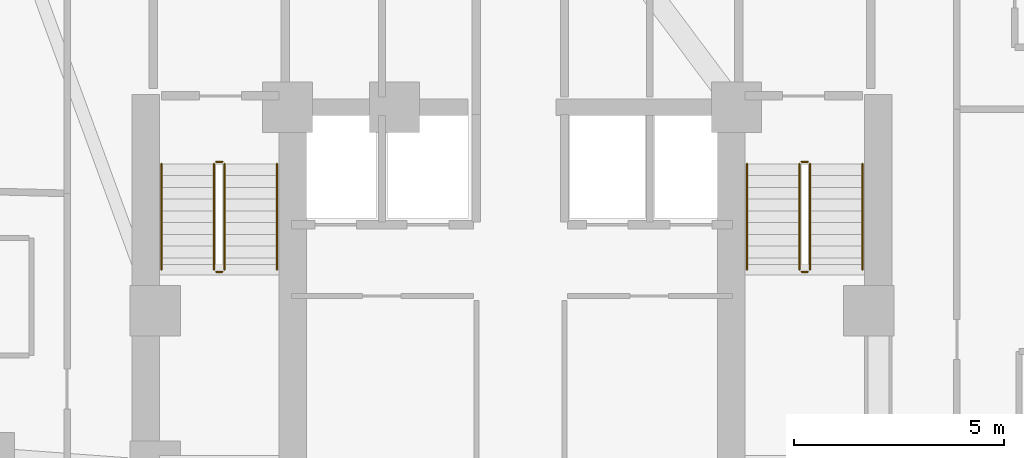
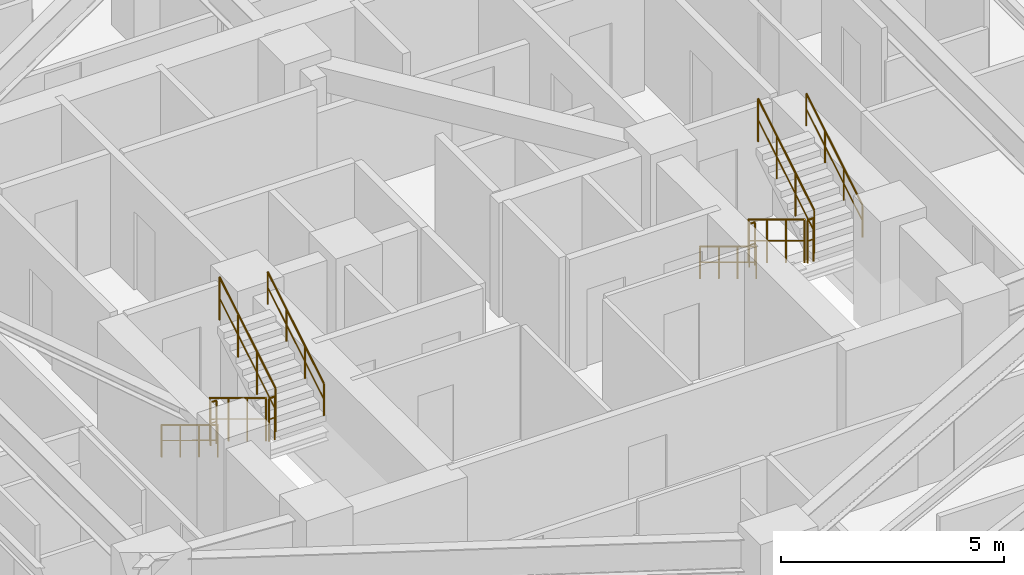
# One storey, part 15 of 15: 12 railings.
"""IFC4 building model written with IfcOpenShell, lengths in metres."""

from ifc_helpers import new_model, si_unit, direction, frame, origin, origin_2d, place, context, subcontext, project, spatial, circle, extrude, material, type_object, element, save


model = new_model("IFC4")

# Units and contexts
model_context = context("Model", 3, precision=1e-05, world=origin(), true_north=direction((0.0, 1.0)))
body_context = subcontext(model_context, "Body", "Model", "MODEL_VIEW")
ifc_project = project(units=[si_unit("LENGTHUNIT", "METRE"), si_unit("AREAUNIT", "SQUARE_METRE"), si_unit("VOLUMEUNIT", "CUBIC_METRE"), si_unit("PLANEANGLEUNIT", "RADIAN"), si_unit("MASSUNIT", "GRAM", prefix="KILO")], contexts=[model_context])

# Site, building, storey
site_placement = place(None, origin())
site = spatial("IfcSite", under=ifc_project, at=site_placement, CompositionType="ELEMENT")
building_placement = place(site_placement, origin())
building = spatial("IfcBuilding", under=site, at=building_placement, Name="Miruveldt Soraemaru", CompositionType="ELEMENT")
storey_placement = place(building_placement, frame((0.0, 0.0, 32.60009765625)))
storey = spatial("IfcBuildingStorey", under=building, at=storey_placement, Name="L08", CompositionType="ELEMENT", Elevation=32.60009765625)

# Railings
ifc_material = material(Name="Steel S355 (355 MPa)", Category="steel")
railing_type_1 = type_object("IfcRailingType", Name="RAIL-HR-900", PredefinedType="HANDRAIL", material=ifc_material)
railing_1_placement = place(storey_placement, frame((35.64990234375, 42.699951171875, 0.169921875)))
element("IfcRailing", 1, at=railing_1_placement, inside=storey, type_object=railing_type_1, Name="L08 ST-1 stair handrail 1", PredefinedType="HANDRAIL", context=body_context, shape_type="SweptSolid", body=[
    extrude(circle(Radius=0.02392578125, at=origin_2d()), frame((0.0, 0.0, 0.8759765625), z_axis=(0.0, -0.85478489116, 0.518982456201), x_axis=(1.0, 0.0, 0.0)), (0.0, 0.0, 1.0), 2.9482421875),
    extrude(circle(Radius=0.01611328125, at=origin_2d()), frame((0.0, 0.0, 0.449951171875), z_axis=(0.0, -0.85478489116, 0.518982456201), x_axis=(1.0, 0.0, 0.0)), (0.0, 0.0, 1.0), 2.9482421875),
    extrude(circle(Radius=0.02099609375, at=origin_2d()), origin(), (0.0, 0.0, 1.0), 0.851806640625),
    extrude(circle(Radius=0.02099609375, at=origin_2d()), frame((0.0, -0.840087890625, 0.510009765625)), (0.0, 0.0, 1.0), 0.851806640625),
    extrude(circle(Radius=0.02099609375, at=origin_2d()), frame((0.0, -1.679931640625, 1.02001953125)), (0.0, 0.0, 1.0), 0.851806640625),
    extrude(circle(Radius=0.02099609375, at=origin_2d()), frame((0.0, -2.52001953125, 1.530029296875)), (0.0, 0.0, 1.0), 0.851806640625),
])
railing_2_placement = place(storey_placement, frame((38.39990234375, 40.179931640625, 1.869873046875)))
element("IfcRailing", 2, at=railing_2_placement, inside=storey, type_object=railing_type_1, Name="L08 ST-1 stair handrail 2", PredefinedType="HANDRAIL", context=body_context, shape_type="SweptSolid", body=[
    extrude(circle(Radius=0.02392578125, at=origin_2d()), frame((0.0, 0.0, 0.8759765625), z_axis=(0.0, 0.85478489116, 0.518982456201), x_axis=(-1.0, 0.0, 0.0)), (0.0, 0.0, 1.0), 2.9482421875),
    extrude(circle(Radius=0.01611328125, at=origin_2d()), frame((0.0, 0.0, 0.449951171875), z_axis=(0.0, 0.85478489116, 0.518982456201), x_axis=(-1.0, 0.0, 0.0)), (0.0, 0.0, 1.0), 2.9482421875),
    extrude(circle(Radius=0.02099609375, at=origin_2d()), origin(), (0.0, 0.0, 1.0), 0.851806640625),
    extrude(circle(Radius=0.02099609375, at=origin_2d()), frame((0.0, 0.840087890625, 0.510009765625)), (0.0, 0.0, 1.0), 0.851806640625),
    extrude(circle(Radius=0.02099609375, at=origin_2d()), frame((0.0, 1.679931640625, 1.02001953125)), (0.0, 0.0, 1.0), 0.851806640625),
    extrude(circle(Radius=0.02099609375, at=origin_2d()), frame((0.0, 2.52001953125, 1.530029296875)), (0.0, 0.0, 1.0), 0.851806640625),
])
railing_3_placement = place(storey_placement, frame((49.60009765625, 42.699951171875, 0.169921875)))
element("IfcRailing", 3, at=railing_3_placement, inside=storey, type_object=railing_type_1, Name="L08 ST-2 stair handrail 1", PredefinedType="HANDRAIL", context=body_context, shape_type="SweptSolid", body=[
    extrude(circle(Radius=0.02392578125, at=origin_2d()), frame((0.0, 0.0, 0.8759765625), z_axis=(0.0, -0.85478489116, 0.518982456201), x_axis=(1.0, 0.0, 0.0)), (0.0, 0.0, 1.0), 2.9482421875),
    extrude(circle(Radius=0.01611328125, at=origin_2d()), frame((0.0, 0.0, 0.449951171875), z_axis=(0.0, -0.85478489116, 0.518982456201), x_axis=(1.0, 0.0, 0.0)), (0.0, 0.0, 1.0), 2.9482421875),
    extrude(circle(Radius=0.02099609375, at=origin_2d()), origin(), (0.0, 0.0, 1.0), 0.851806640625),
    extrude(circle(Radius=0.02099609375, at=origin_2d()), frame((0.0, -0.840087890625, 0.510009765625)), (0.0, 0.0, 1.0), 0.851806640625),
    extrude(circle(Radius=0.02099609375, at=origin_2d()), frame((0.0, -1.679931640625, 1.02001953125)), (0.0, 0.0, 1.0), 0.851806640625),
    extrude(circle(Radius=0.02099609375, at=origin_2d()), frame((0.0, -2.52001953125, 1.530029296875)), (0.0, 0.0, 1.0), 0.851806640625),
])
railing_4_placement = place(storey_placement, frame((52.35009765625, 40.179931640625, 1.869873046875)))
element("IfcRailing", 4, at=railing_4_placement, inside=storey, type_object=railing_type_1, Name="L08 ST-2 stair handrail 2", PredefinedType="HANDRAIL", context=body_context, shape_type="SweptSolid", body=[
    extrude(circle(Radius=0.02392578125, at=origin_2d()), frame((0.0, 0.0, 0.8759765625), z_axis=(0.0, 0.85478489116, 0.518982456201), x_axis=(-1.0, 0.0, 0.0)), (0.0, 0.0, 1.0), 2.9482421875),
    extrude(circle(Radius=0.01611328125, at=origin_2d()), frame((0.0, 0.0, 0.449951171875), z_axis=(0.0, 0.85478489116, 0.518982456201), x_axis=(-1.0, 0.0, 0.0)), (0.0, 0.0, 1.0), 2.9482421875),
    extrude(circle(Radius=0.02099609375, at=origin_2d()), origin(), (0.0, 0.0, 1.0), 0.851806640625),
    extrude(circle(Radius=0.02099609375, at=origin_2d()), frame((0.0, 0.840087890625, 0.510009765625)), (0.0, 0.0, 1.0), 0.851806640625),
    extrude(circle(Radius=0.02099609375, at=origin_2d()), frame((0.0, 1.679931640625, 1.02001953125)), (0.0, 0.0, 1.0), 0.851806640625),
    extrude(circle(Radius=0.02099609375, at=origin_2d()), frame((0.0, 2.52001953125, 1.530029296875)), (0.0, 0.0, 1.0), 0.851806640625),
])
railing_type_2 = type_object("IfcRailingType", Name="RAIL-STGUARD-1200", PredefinedType="GUARDRAIL", material=ifc_material)
railing_5_placement = place(storey_placement, frame((36.89990234375, 42.699951171875, 0.169921875)))
element("IfcRailing", 5, at=railing_5_placement, inside=storey, type_object=railing_type_2, Name="L08 ST-1 stair guard 1", PredefinedType="GUARDRAIL", context=body_context, shape_type="SweptSolid", body=[
    extrude(circle(Radius=0.02392578125, at=origin_2d()), frame((0.0, 0.0, 1.17578125), z_axis=(0.0, -0.85478489116, 0.518982456201), x_axis=(1.0, 0.0, 0.0)), (0.0, 0.0, 1.0), 2.9482421875),
    extrude(circle(Radius=0.01611328125, at=origin_2d()), frame((0.0, 0.0, 0.60009765625), z_axis=(0.0, -0.85478489116, 0.518982456201), x_axis=(1.0, 0.0, 0.0)), (0.0, 0.0, 1.0), 2.9482421875),
    extrude(circle(Radius=0.02099609375, at=origin_2d()), origin(), (0.0, 0.0, 1.0), 1.15185546875),
    extrude(circle(Radius=0.02099609375, at=origin_2d()), frame((0.0, -0.840087890625, 0.510009765625)), (0.0, 0.0, 1.0), 1.15185546875),
    extrude(circle(Radius=0.02099609375, at=origin_2d()), frame((0.0, -1.679931640625, 1.02001953125)), (0.0, 0.0, 1.0), 1.15185546875),
    extrude(circle(Radius=0.02099609375, at=origin_2d()), frame((0.0, -2.52001953125, 1.530029296875)), (0.0, 0.0, 1.0), 1.15185546875),
])
railing_6_placement = place(storey_placement, frame((36.949951171875, 40.1298828125, 1.699951171875)))
element("IfcRailing", 6, at=railing_6_placement, inside=storey, type_object=railing_type_2, Name="L08 ST-1 stair guard 2", PredefinedType="GUARDRAIL", context=body_context, shape_type="SweptSolid", body=[
    extrude(circle(Radius=0.02392578125, at=origin_2d()), frame((0.0, 0.0, 1.17578125), z_axis=(1.0, 0.0, 0.0), x_axis=(0.0, 1.0, 0.0)), (0.0, 0.0, 1.0), 0.150146484375),
    extrude(circle(Radius=0.01611328125, at=origin_2d()), frame((0.0, 0.0, 0.60009765625), z_axis=(1.0, 0.0, 0.0), x_axis=(0.0, 1.0, 0.0)), (0.0, 0.0, 1.0), 0.150146484375),
    extrude(circle(Radius=0.02099609375, at=origin_2d()), origin(), (0.0, 0.0, 1.0), 1.15185546875),
    extrude(circle(Radius=0.02099609375, at=origin_2d()), frame((0.150146484375, 0.0, 0.0)), (0.0, 0.0, 1.0), 1.15185546875),
])
railing_7_placement = place(storey_placement, frame((37.14990234375, 40.179931640625, 1.869873046875)))
element("IfcRailing", 7, at=railing_7_placement, inside=storey, type_object=railing_type_2, Name="L08 ST-1 stair guard 3", PredefinedType="GUARDRAIL", context=body_context, shape_type="SweptSolid", body=[
    extrude(circle(Radius=0.02392578125, at=origin_2d()), frame((0.0, 0.0, 1.17578125), z_axis=(0.0, 0.85478489116, 0.518982456201), x_axis=(-1.0, 0.0, 0.0)), (0.0, 0.0, 1.0), 2.9482421875),
    extrude(circle(Radius=0.01611328125, at=origin_2d()), frame((0.0, 0.0, 0.60009765625), z_axis=(0.0, 0.85478489116, 0.518982456201), x_axis=(-1.0, 0.0, 0.0)), (0.0, 0.0, 1.0), 2.9482421875),
    extrude(circle(Radius=0.02099609375, at=origin_2d()), origin(), (0.0, 0.0, 1.0), 1.15185546875),
    extrude(circle(Radius=0.02099609375, at=origin_2d()), frame((0.0, 0.840087890625, 0.510009765625)), (0.0, 0.0, 1.0), 1.15185546875),
    extrude(circle(Radius=0.02099609375, at=origin_2d()), frame((0.0, 1.679931640625, 1.02001953125)), (0.0, 0.0, 1.0), 1.15185546875),
    extrude(circle(Radius=0.02099609375, at=origin_2d()), frame((0.0, 2.52001953125, 1.530029296875)), (0.0, 0.0, 1.0), 1.15185546875),
])
railing_8_placement = place(storey_placement, frame((36.949951171875, 42.75, 0.0)))
element("IfcRailing", 8, at=railing_8_placement, inside=storey, type_object=railing_type_2, Name="L08 ST-1 stair guard 4", PredefinedType="GUARDRAIL", context=body_context, shape_type="SweptSolid", body=[
    extrude(circle(Radius=0.02392578125, at=origin_2d()), frame((0.0, 0.0, 1.17578125), z_axis=(1.0, 0.0, 0.0), x_axis=(0.0, 1.0, 0.0)), (0.0, 0.0, 1.0), 0.150146484375),
    extrude(circle(Radius=0.01611328125, at=origin_2d()), frame((0.0, 0.0, 0.60009765625), z_axis=(1.0, 0.0, 0.0), x_axis=(0.0, 1.0, 0.0)), (0.0, 0.0, 1.0), 0.150146484375),
    extrude(circle(Radius=0.02099609375, at=origin_2d()), origin(), (0.0, 0.0, 1.0), 1.15185546875),
    extrude(circle(Radius=0.02099609375, at=origin_2d()), frame((0.150146484375, 0.0, 0.0)), (0.0, 0.0, 1.0), 1.15185546875),
])
railing_9_placement = place(storey_placement, frame((50.85009765625, 42.699951171875, 0.169921875)))
element("IfcRailing", 9, at=railing_9_placement, inside=storey, type_object=railing_type_2, Name="L08 ST-2 stair guard 1", PredefinedType="GUARDRAIL", context=body_context, shape_type="SweptSolid", body=[
    extrude(circle(Radius=0.02392578125, at=origin_2d()), frame((0.0, 0.0, 1.17578125), z_axis=(0.0, -0.85478489116, 0.518982456201), x_axis=(1.0, 0.0, 0.0)), (0.0, 0.0, 1.0), 2.9482421875),
    extrude(circle(Radius=0.01611328125, at=origin_2d()), frame((0.0, 0.0, 0.60009765625), z_axis=(0.0, -0.85478489116, 0.518982456201), x_axis=(1.0, 0.0, 0.0)), (0.0, 0.0, 1.0), 2.9482421875),
    extrude(circle(Radius=0.02099609375, at=origin_2d()), origin(), (0.0, 0.0, 1.0), 1.15185546875),
    extrude(circle(Radius=0.02099609375, at=origin_2d()), frame((0.0, -0.840087890625, 0.510009765625)), (0.0, 0.0, 1.0), 1.15185546875),
    extrude(circle(Radius=0.02099609375, at=origin_2d()), frame((0.0, -1.679931640625, 1.02001953125)), (0.0, 0.0, 1.0), 1.15185546875),
    extrude(circle(Radius=0.02099609375, at=origin_2d()), frame((0.0, -2.52001953125, 1.530029296875)), (0.0, 0.0, 1.0), 1.15185546875),
])
railing_10_placement = place(storey_placement, frame((50.89990234375, 40.1298828125, 1.699951171875)))
element("IfcRailing", 10, at=railing_10_placement, inside=storey, type_object=railing_type_2, Name="L08 ST-2 stair guard 2", PredefinedType="GUARDRAIL", context=body_context, shape_type="SweptSolid", body=[
    extrude(circle(Radius=0.02392578125, at=origin_2d()), frame((0.0, 0.0, 1.17578125), z_axis=(1.0, 0.0, 0.0), x_axis=(0.0, 1.0, 0.0)), (0.0, 0.0, 1.0), 0.150146484375),
    extrude(circle(Radius=0.01611328125, at=origin_2d()), frame((0.0, 0.0, 0.60009765625), z_axis=(1.0, 0.0, 0.0), x_axis=(0.0, 1.0, 0.0)), (0.0, 0.0, 1.0), 0.150146484375),
    extrude(circle(Radius=0.02099609375, at=origin_2d()), origin(), (0.0, 0.0, 1.0), 1.15185546875),
    extrude(circle(Radius=0.02099609375, at=origin_2d()), frame((0.150146484375, 0.0, 0.0)), (0.0, 0.0, 1.0), 1.15185546875),
])
railing_11_placement = place(storey_placement, frame((51.10009765625, 40.179931640625, 1.869873046875)))
element("IfcRailing", 11, at=railing_11_placement, inside=storey, type_object=railing_type_2, Name="L08 ST-2 stair guard 3", PredefinedType="GUARDRAIL", context=body_context, shape_type="SweptSolid", body=[
    extrude(circle(Radius=0.02392578125, at=origin_2d()), frame((0.0, 0.0, 1.17578125), z_axis=(0.0, 0.85478489116, 0.518982456201), x_axis=(-1.0, 0.0, 0.0)), (0.0, 0.0, 1.0), 2.9482421875),
    extrude(circle(Radius=0.01611328125, at=origin_2d()), frame((0.0, 0.0, 0.60009765625), z_axis=(0.0, 0.85478489116, 0.518982456201), x_axis=(-1.0, 0.0, 0.0)), (0.0, 0.0, 1.0), 2.9482421875),
    extrude(circle(Radius=0.02099609375, at=origin_2d()), origin(), (0.0, 0.0, 1.0), 1.15185546875),
    extrude(circle(Radius=0.02099609375, at=origin_2d()), frame((0.0, 0.840087890625, 0.510009765625)), (0.0, 0.0, 1.0), 1.15185546875),
    extrude(circle(Radius=0.02099609375, at=origin_2d()), frame((0.0, 1.679931640625, 1.02001953125)), (0.0, 0.0, 1.0), 1.15185546875),
    extrude(circle(Radius=0.02099609375, at=origin_2d()), frame((0.0, 2.52001953125, 1.530029296875)), (0.0, 0.0, 1.0), 1.15185546875),
])
railing_12_placement = place(storey_placement, frame((50.89990234375, 42.75, 0.0)))
element("IfcRailing", 12, at=railing_12_placement, inside=storey, type_object=railing_type_2, Name="L08 ST-2 stair guard 4", PredefinedType="GUARDRAIL", context=body_context, shape_type="SweptSolid", body=[
    extrude(circle(Radius=0.02392578125, at=origin_2d()), frame((0.0, 0.0, 1.17578125), z_axis=(1.0, 0.0, 0.0), x_axis=(0.0, 1.0, 0.0)), (0.0, 0.0, 1.0), 0.150146484375),
    extrude(circle(Radius=0.01611328125, at=origin_2d()), frame((0.0, 0.0, 0.60009765625), z_axis=(1.0, 0.0, 0.0), x_axis=(0.0, 1.0, 0.0)), (0.0, 0.0, 1.0), 0.150146484375),
    extrude(circle(Radius=0.02099609375, at=origin_2d()), origin(), (0.0, 0.0, 1.0), 1.15185546875),
    extrude(circle(Radius=0.02099609375, at=origin_2d()), frame((0.150146484375, 0.0, 0.0)), (0.0, 0.0, 1.0), 1.15185546875),
])

save(model, "model.ifc")
